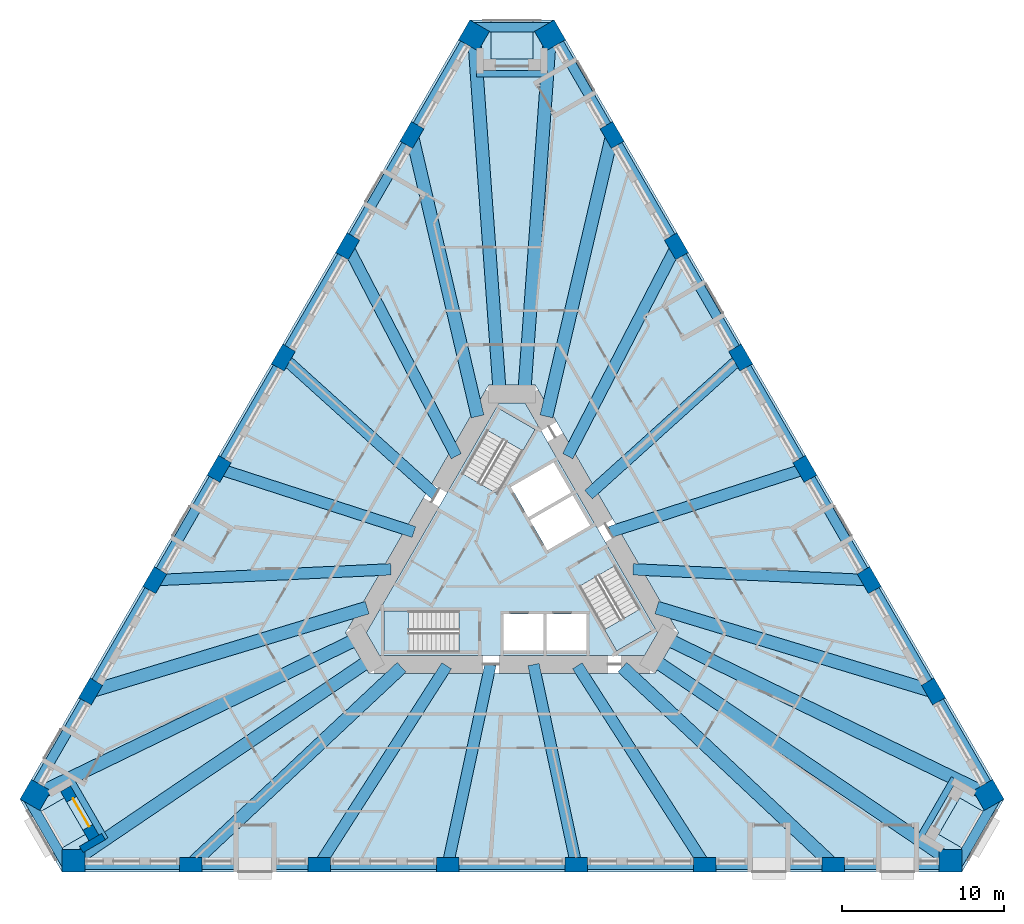
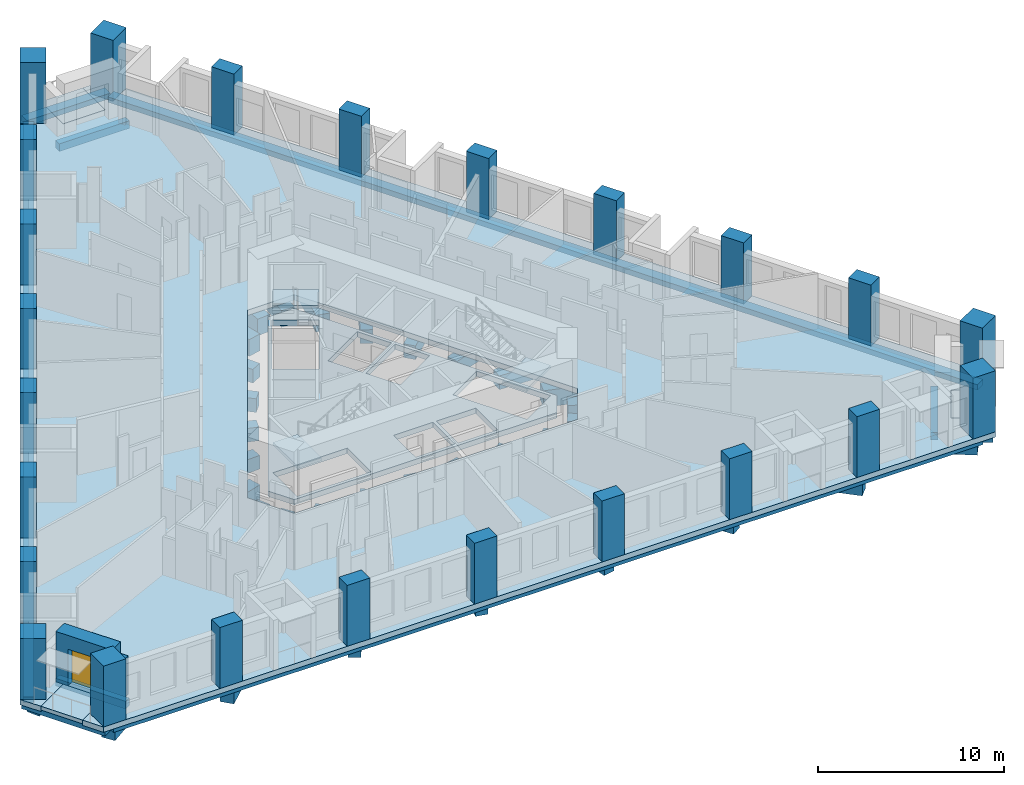
# One storey, part 1 of 14: 33 beams, 24 columns, 8 slabs, 2 walls, 1 door, 1 opening, 3 elements without a shape of their own.
"""IFC4 building model written with IfcOpenShell, lengths in metres."""

from ifc_helpers import new_model, si_unit, direction, frame, frame_2d, origin, origin_2d, place, context, subcontext, project, spatial, polyline, rectangle, outline, extrude, material, layer, layer_set, material_profile, profile_set, type_object, element, fill, aggregate, save


model = new_model("IFC4")

# Units and contexts
model_context = context("Model", 3, precision=1e-05, world=origin(), true_north=direction((0.0, 1.0)))
body_context = subcontext(model_context, "Body", "Model", "MODEL_VIEW")
ifc_project = project(units=[si_unit("LENGTHUNIT", "METRE"), si_unit("AREAUNIT", "SQUARE_METRE"), si_unit("VOLUMEUNIT", "CUBIC_METRE"), si_unit("PLANEANGLEUNIT", "RADIAN"), si_unit("MASSUNIT", "GRAM", prefix="KILO")], contexts=[model_context])

# Site, building, storey
site_placement = place(None, origin())
site = spatial("IfcSite", under=ifc_project, at=site_placement, CompositionType="ELEMENT")
building_placement = place(site_placement, origin())
building = spatial("IfcBuilding", under=site, at=building_placement, Name="Tramontana Tower", CompositionType="ELEMENT")
storey_placement = place(building_placement, frame((0.0, 0.0, 30.0)))
storey = spatial("IfcBuildingStorey", under=building, at=storey_placement, Name="L05", CompositionType="ELEMENT", Elevation=30.0)

# Columns
ifc_material_1 = material(Name="Concrete 70 MPa", Category="concrete")
ifc_material_profile_1 = material_profile(ifc_material_1, rectangle(XDim=1.39990234375, YDim=1.39990234375, at=origin_2d()), Name="Mega column 1400X1400 70 MPa")
ifc_profile_set_1 = profile_set([ifc_material_profile_1], Name="Concrete 70 MPa")
column_type_1 = type_object("IfcColumnType", Name="Mega column 1400X1400 70 MPa", PredefinedType="COLUMN", material=ifc_profile_set_1)
for number, where, z_axis, x_axis, name in (
    (1, (-2.341796875, 32.543701171875, 0.0), (0.0, 0.0, 1.0), (-0.5, -0.866025403784, 0.0), "Mega column C0K1 L05"),
    (2, (-29.354736328125, -14.243896484375, 0.0), (0.0, 0.0, 1.0), (-0.5, -0.866025403784, 0.0), "Mega column C0K2 L05"),
    (3, (-27.0126953125, -18.300048828125, 0.0), (0.0, 0.0, 1.0), (1.0, 0.0, 0.0), "Mega column C0K3 L05"),
    (4, (27.0126953125, -18.300048828125, 0.0), (0.0, 0.0, 1.0), (1.0, 0.0, 0.0), "Mega column C0K4 L05"),
    (5, (29.354736328125, -14.243896484375, 0.0), (0.0, 0.0, 1.0), (-0.5, 0.866025403784, 0.0), "Mega column C0K5 L05"),
    (6, (2.341796875, 32.543701171875, 0.0), (0.0, 0.0, 1.0), (-0.5, 0.866025403784, 0.0), "Mega column C0K6 L05"),
):
    element("IfcColumn", number, at=place(storey_placement, frame(where, z_axis=z_axis, x_axis=x_axis)), inside=storey, type_object=column_type_1, Name=name, PredefinedType="COLUMN", context=body_context, shape_type="SweptSolid", body=[
        extrude(rectangle(XDim=1.39990234375, YDim=1.39990234375, at=origin_2d()), origin(), (0.0, 0.0, 1.0), 4.0),
    ])
ifc_material_2 = material(Name="Concrete 55 MPa", Category="concrete")
ifc_material_profile_2 = material_profile(ifc_material_2, rectangle(XDim=1.39990234375, YDim=0.89990234375, at=origin_2d()), Name="Pier column 1400X900 55 MPa")
ifc_profile_set_2 = profile_set([ifc_material_profile_2], Name="Concrete 55 MPa")
column_type_2 = type_object("IfcColumnType", Name="Pier column 1400X900 55 MPa", PredefinedType="COLUMN", material=ifc_profile_set_2)
for number, where, z_axis, x_axis, name in (
    (7, (-6.167236328125, 26.41796875, 0.0), (0.0, 0.0, 1.0), (-0.5, -0.866025403784, 0.0), "Pier column C0F01 L05"),
    (8, (-10.126220703125, 19.560791015625, 0.0), (0.0, 0.0, 1.0), (-0.5, -0.866025403784, 0.0), "Pier column C0F02 L05"),
    (9, (-14.085205078125, 12.70361328125, 0.0), (0.0, 0.0, 1.0), (-0.5, -0.866025403784, 0.0), "Pier column C0F03 L05"),
    (10, (-18.044189453125, 5.846435546875, 0.0), (0.0, 0.0, 1.0), (-0.5, -0.866025403784, 0.0), "Pier column C0F04 L05"),
    (11, (-22.003173828125, -1.0107421875, 0.0), (0.0, 0.0, 1.0), (-0.5, -0.866025403784, 0.0), "Pier column C0F05 L05"),
    (12, (-25.962158203125, -7.867919921875, 0.0), (0.0, 0.0, 1.0), (-0.5, -0.866025403784, 0.0), "Pier column C0F06 L05"),
    (13, (-19.794921875, -18.550048828125, 0.0), (0.0, 0.0, 1.0), (1.0, 0.0, 0.0), "Pier column C0F07 L05"),
    (14, (-11.876953125, -18.550048828125, 0.0), (0.0, 0.0, 1.0), (1.0, 0.0, 0.0), "Pier column C0F08 L05"),
    (15, (-3.958984375, -18.550048828125, 0.0), (0.0, 0.0, 1.0), (1.0, 0.0, 0.0), "Pier column C0F09 L05"),
    (16, (3.958984375, -18.550048828125, 0.0), (0.0, 0.0, 1.0), (1.0, 0.0, 0.0), "Pier column C0F10 L05"),
    (17, (11.876953125, -18.550048828125, 0.0), (0.0, 0.0, 1.0), (1.0, 0.0, 0.0), "Pier column C0F11 L05"),
    (18, (19.794921875, -18.550048828125, 0.0), (0.0, 0.0, 1.0), (1.0, 0.0, 0.0), "Pier column C0F12 L05"),
    (19, (25.962158203125, -7.867919921875, 0.0), (0.0, 0.0, 1.0), (-0.5, 0.866025403784, 0.0), "Pier column C0F13 L05"),
    (20, (22.003173828125, -1.0107421875, 0.0), (0.0, 0.0, 1.0), (-0.5, 0.866025403784, 0.0), "Pier column C0F14 L05"),
    (21, (18.044189453125, 5.846435546875, 0.0), (0.0, 0.0, 1.0), (-0.5, 0.866025403784, 0.0), "Pier column C0F15 L05"),
    (22, (14.085205078125, 12.70361328125, 0.0), (0.0, 0.0, 1.0), (-0.5, 0.866025403784, 0.0), "Pier column C0F16 L05"),
    (23, (10.126220703125, 19.560791015625, 0.0), (0.0, 0.0, 1.0), (-0.5, 0.866025403784, 0.0), "Pier column C0F17 L05"),
    (24, (6.167236328125, 26.41796875, 0.0), (0.0, 0.0, 1.0), (-0.5, 0.866025403784, 0.0), "Pier column C0F18 L05"),
):
    element("IfcColumn", number, at=place(storey_placement, frame(where, z_axis=z_axis, x_axis=x_axis)), inside=storey, type_object=column_type_2, Name=name, PredefinedType="COLUMN", context=body_context, shape_type="SweptSolid", body=[
        extrude(rectangle(XDim=1.39990234375, YDim=0.89990234375, at=origin_2d()), origin(), (0.0, 0.0, 1.0), 4.0),
    ])

# Beams
ifc_material_3 = material(Name="Concrete 40 MPa", Category="concrete")
ifc_material_profile_3 = material_profile(ifc_material_3, rectangle(XDim=0.60009765625, YDim=0.35009765625, at=origin_2d()), Name="RC EDGE BEAM 600X350 40 MPa")
ifc_profile_set_3 = profile_set([ifc_material_profile_3], Name="Concrete 40 MPa")
beam_type_1 = type_object("IfcBeamType", Name="RC EDGE BEAM 600X350 40 MPa", PredefinedType="SPANDREL", material=ifc_profile_set_3)
beam_1_placement = place(storey_placement, frame((-2.558349609375, 32.668701171875, -0.52490234375), z_axis=(-0.500001490283, -0.866024543367, 0.0), x_axis=(0.866024543367, -0.500001490283, 0.0)))
element("IfcBeam", 25, at=beam_1_placement, inside=storey, type_object=beam_type_1, Name="Spandrel beam S0 L05", PredefinedType="SPANDREL", context=body_context, shape_type="SweptSolid", body=[
    extrude(rectangle(XDim=0.60009765625, YDim=0.35009765625, at=origin_2d()), origin(), (0.0, 0.0, 1.0), 54.025634765625),
])
beam_2_placement = place(storey_placement, frame((-27.0126953125, -18.550048828125, -0.52490234375), z_axis=(1.0, 0.0, 0.0), x_axis=(0.0, 1.0, 0.0)))
element("IfcBeam", 26, at=beam_2_placement, inside=storey, type_object=beam_type_1, Name="Spandrel beam S1 L05", PredefinedType="SPANDREL", context=body_context, shape_type="SweptSolid", body=[
    extrude(rectangle(XDim=0.60009765625, YDim=0.35009765625, at=origin_2d()), origin(), (0.0, 0.0, 1.0), 54.025390625),
])
beam_3_placement = place(storey_placement, frame((29.5712890625, -14.118896484375, -0.52490234375), z_axis=(-0.500001490283, 0.866024543367, 0.0), x_axis=(-0.866024543367, -0.500001490283, 0.0)))
element("IfcBeam", 27, at=beam_3_placement, inside=storey, type_object=beam_type_1, Name="Spandrel beam S2 L05", PredefinedType="SPANDREL", context=body_context, shape_type="SweptSolid", body=[
    extrude(rectangle(XDim=0.60009765625, YDim=0.35009765625, at=origin_2d()), origin(), (0.0, 0.0, 1.0), 54.025634765625),
])
for number, where, z_axis, x_axis, name in (
    (28, (2.59814453125, 33.050048828125, -0.52490234375), (-1.0, 0.0, 0.0), (0.0, -1.0, 0.0), "Spandrel beam K0 L05"),
    (29, (-29.921142578125, -14.27490234375, -0.52490234375), (0.50000986103, -0.866019710441, 0.0), (0.866019710441, 0.50000986103, 0.0), "Spandrel beam K1 L05"),
    (30, (27.322998046875, -18.77490234375, -0.52490234375), (0.50000986103, 0.866019710441, 0.0), (-0.866019710441, 0.50000986103, 0.0), "Spandrel beam K2 L05"),
):
    element("IfcBeam", number, at=place(storey_placement, frame(where, z_axis=z_axis, x_axis=x_axis)), inside=storey, type_object=beam_type_1, Name=name, PredefinedType="SPANDREL", context=body_context, shape_type="SweptSolid", body=[
        extrude(rectangle(XDim=0.60009765625, YDim=0.35009765625, at=origin_2d()), origin(), (0.0, 0.0, 1.0), 5.1962890625),
    ])
ifc_material_4 = material(Name="Concrete 40 MPa", Category="concrete")
ifc_material_profile_4 = material_profile(ifc_material_4, rectangle(XDim=0.699951171875, YDim=0.89990234375, at=origin_2d()), Name="RC GIRDER 700X900 40 MPa")
ifc_profile_set_4 = profile_set([ifc_material_profile_4], Name="Concrete 40 MPa")
beam_type_2 = type_object("IfcBeamType", Name="RC GIRDER 700X900 40 MPa", PredefinedType="BEAM", material=ifc_profile_set_4)
beam_4_placement = place(storey_placement, frame((-10.126220703125, 19.560791015625, -0.800048828125), z_axis=(0.459730770714, -0.88805834181, 0.0), x_axis=(0.88805834181, 0.459730770714, 0.0)))
element("IfcBeam", 31, at=beam_4_placement, inside=storey, type_object=beam_type_2, Name="Radial girder C0F02 L05", PredefinedType="BEAM", context=body_context, shape_type="SweptSolid", body=[
    extrude(rectangle(XDim=0.699951171875, YDim=0.89990234375, at=origin_2d()), origin(), (0.0, 0.0, 1.0), 14.5615234375),
])
beam_5_placement = place(storey_placement, frame((-14.085205078125, 12.70361328125, -0.800048828125), z_axis=(0.742588406407, -0.669748056116, 0.0), x_axis=(0.669748056116, 0.742588406407, 0.0)))
element("IfcBeam", 32, at=beam_5_placement, inside=storey, type_object=beam_type_2, Name="Radial girder C0F03 L05", PredefinedType="BEAM", context=body_context, shape_type="SweptSolid", body=[
    extrude(rectangle(XDim=0.699951171875, YDim=0.89990234375, at=origin_2d()), origin(), (0.0, 0.0, 1.0), 12.615966796875),
])
beam_6_placement = place(storey_placement, frame((-18.044189453125, 5.846435546875, -0.800048828125), z_axis=(0.951314408854, -0.30822215285, 0.0), x_axis=(0.30822215285, 0.951314408854, 0.0)))
element("IfcBeam", 33, at=beam_6_placement, inside=storey, type_object=beam_type_2, Name="Radial girder C0F04 L05", PredefinedType="BEAM", context=body_context, shape_type="SweptSolid", body=[
    extrude(rectangle(XDim=0.699951171875, YDim=0.89990234375, at=origin_2d()), origin(), (0.0, 0.0, 1.0), 12.61572265625),
])
for number, where, z_axis, x_axis, name in (
    (34, (-22.003173828125, -1.0107421875, -0.800048828125), (0.998946541736, 0.045889070085, 0.0), (-0.045889070085, 0.998946541736, 0.0), "Radial girder C0F05 L05"),
    (35, (-11.876953125, -18.550048828125, -0.800048828125), (0.539217827497, 0.84216633423, 0.0), (-0.84216633423, 0.539217827497, 0.0), "Radial girder C0F08 L05"),
):
    element("IfcBeam", number, at=place(storey_placement, frame(where, z_axis=z_axis, x_axis=x_axis)), inside=storey, type_object=beam_type_2, Name=name, PredefinedType="BEAM", context=body_context, shape_type="SweptSolid", body=[
        extrude(rectangle(XDim=0.699951171875, YDim=0.89990234375, at=origin_2d()), origin(), (0.0, 0.0, 1.0), 14.5615234375),
    ])
for number, where, z_axis, x_axis, name in (
    (36, (-3.958984375, -18.550048828125, -0.800048828125), (0.208730772127, 0.977973141128, 0.0), (-0.977973141128, 0.208730772127, 0.0), "Radial girder C0F09 L05"),
    (37, (3.958984375, -18.550048828125, -0.800048828125), (-0.208730772127, 0.977973141128, 0.0), (-0.977973141128, -0.208730772127, 0.0), "Radial girder C0F10 L05"),
):
    element("IfcBeam", number, at=place(storey_placement, frame(where, z_axis=z_axis, x_axis=x_axis)), inside=storey, type_object=beam_type_2, Name=name, PredefinedType="BEAM", context=body_context, shape_type="SweptSolid", body=[
        extrude(rectangle(XDim=0.699951171875, YDim=0.89990234375, at=origin_2d()), origin(), (0.0, 0.0, 1.0), 12.61572265625),
    ])
for number, where, z_axis, x_axis, name in (
    (38, (11.876953125, -18.550048828125, -0.800048828125), (-0.539217827497, 0.84216633423, 0.0), (-0.84216633423, -0.539217827497, 0.0), "Radial girder C0F11 L05"),
    (39, (22.003173828125, -1.0107421875, -0.800048828125), (-0.998946541736, 0.045889070085, 0.0), (-0.045889070085, -0.998946541736, 0.0), "Radial girder C0F14 L05"),
):
    element("IfcBeam", number, at=place(storey_placement, frame(where, z_axis=z_axis, x_axis=x_axis)), inside=storey, type_object=beam_type_2, Name=name, PredefinedType="BEAM", context=body_context, shape_type="SweptSolid", body=[
        extrude(rectangle(XDim=0.699951171875, YDim=0.89990234375, at=origin_2d()), origin(), (0.0, 0.0, 1.0), 14.5615234375),
    ])
beam_7_placement = place(storey_placement, frame((18.044189453125, 5.846435546875, -0.800048828125), z_axis=(-0.951314408854, -0.30822215285, 0.0), x_axis=(0.30822215285, -0.951314408854, 0.0)))
element("IfcBeam", 40, at=beam_7_placement, inside=storey, type_object=beam_type_2, Name="Radial girder C0F15 L05", PredefinedType="BEAM", context=body_context, shape_type="SweptSolid", body=[
    extrude(rectangle(XDim=0.699951171875, YDim=0.89990234375, at=origin_2d()), origin(), (0.0, 0.0, 1.0), 12.61572265625),
])
beam_8_placement = place(storey_placement, frame((14.085205078125, 12.70361328125, -0.800048828125), z_axis=(-0.742588406407, -0.669748056116, 0.0), x_axis=(0.669748056116, -0.742588406407, 0.0)))
element("IfcBeam", 41, at=beam_8_placement, inside=storey, type_object=beam_type_2, Name="Radial girder C0F16 L05", PredefinedType="BEAM", context=body_context, shape_type="SweptSolid", body=[
    extrude(rectangle(XDim=0.699951171875, YDim=0.89990234375, at=origin_2d()), origin(), (0.0, 0.0, 1.0), 12.615966796875),
])
beam_9_placement = place(storey_placement, frame((10.126220703125, 19.560791015625, -0.800048828125), z_axis=(-0.459730770714, -0.88805834181, 0.0), x_axis=(0.88805834181, -0.459730770714, 0.0)))
element("IfcBeam", 42, at=beam_9_placement, inside=storey, type_object=beam_type_2, Name="Radial girder C0F17 L05", PredefinedType="BEAM", context=body_context, shape_type="SweptSolid", body=[
    extrude(rectangle(XDim=0.699951171875, YDim=0.89990234375, at=origin_2d()), origin(), (0.0, 0.0, 1.0), 14.5615234375),
])
ifc_material_5 = material(Name="Concrete 40 MPa", Category="concrete")
ifc_material_profile_5 = material_profile(ifc_material_5, rectangle(XDim=0.800048828125, YDim=1.10009765625, at=origin_2d()), Name="RC GIRDER 800X1100 40 MPa")
ifc_profile_set_5 = profile_set([ifc_material_profile_5], Name="Concrete 40 MPa")
beam_type_3 = type_object("IfcBeamType", Name="RC GIRDER 800X1100 40 MPa", PredefinedType="BEAM", material=ifc_profile_set_5)
beam_10_placement = place(storey_placement, frame((-2.341796875, 32.543701171875, -0.89990234375), z_axis=(0.071767165612, -0.997421412413, 0.0), x_axis=(0.997421412413, 0.071767165612, 0.0)))
element("IfcBeam", 43, at=beam_10_placement, inside=storey, type_object=beam_type_3, Name="Radial girder C0K1 L05", PredefinedType="BEAM", context=body_context, shape_type="SweptSolid", body=[
    extrude(rectangle(XDim=0.800048828125, YDim=1.10009765625, at=origin_2d()), origin(), (0.0, 0.0, 1.0), 22.1494140625),
])
beam_11_placement = place(storey_placement, frame((-6.167236328125, 26.41796875, -0.89990234375), z_axis=(0.227334068495, -0.973816831494, 0.0), x_axis=(0.973816831494, 0.227334068495, 0.0)))
element("IfcBeam", 44, at=beam_11_placement, inside=storey, type_object=beam_type_3, Name="Radial girder C0F01 L05", PredefinedType="BEAM", context=body_context, shape_type="SweptSolid", body=[
    extrude(rectangle(XDim=0.800048828125, YDim=1.10009765625, at=origin_2d()), origin(), (0.0, 0.0, 1.0), 17.806884765625),
])
beam_12_placement = place(storey_placement, frame((-25.962158203125, -7.867919921875, -0.89990234375), z_axis=(0.95701990712, 0.290022236004, 0.0), x_axis=(-0.290022236004, 0.95701990712, 0.0)))
element("IfcBeam", 45, at=beam_12_placement, inside=storey, type_object=beam_type_3, Name="Radial girder C0F06 L05", PredefinedType="BEAM", context=body_context, shape_type="SweptSolid", body=[
    extrude(rectangle(XDim=0.800048828125, YDim=1.10009765625, at=origin_2d()), origin(), (0.0, 0.0, 1.0), 17.806640625),
])
beam_13_placement = place(storey_placement, frame((-29.354736328125, -14.243896484375, -0.89990234375), z_axis=(0.899679009302, 0.436552036098, 0.0), x_axis=(-0.436552036098, 0.899679009302, 0.0)))
element("IfcBeam", 46, at=beam_13_placement, inside=storey, type_object=beam_type_3, Name="Radial girder C0K2 L05", PredefinedType="BEAM", context=body_context, shape_type="SweptSolid", body=[
    extrude(rectangle(XDim=0.800048828125, YDim=1.10009765625, at=origin_2d()), origin(), (0.0, 0.0, 1.0), 22.149658203125),
])
beam_14_placement = place(storey_placement, frame((-27.0126953125, -18.300048828125, -0.89990234375), z_axis=(0.827898052271, 0.560878609903, 0.0), x_axis=(-0.560878609903, 0.827898052271, 0.0)))
element("IfcBeam", 47, at=beam_14_placement, inside=storey, type_object=beam_type_3, Name="Radial girder C0K3 L05", PredefinedType="BEAM", context=body_context, shape_type="SweptSolid", body=[
    extrude(rectangle(XDim=0.800048828125, YDim=1.10009765625, at=origin_2d()), origin(), (0.0, 0.0, 1.0), 22.1494140625),
])
for number, where, z_axis, x_axis, name in (
    (48, (-19.794921875, -18.550048828125, -0.89990234375), (0.72967229952, 0.683796998614, 0.0), (-0.683796998614, 0.72967229952, 0.0), "Radial girder C0F07 L05"),
    (49, (19.794921875, -18.550048828125, -0.89990234375), (-0.72967229952, 0.683796998614, 0.0), (-0.683796998614, -0.72967229952, 0.0), "Radial girder C0F12 L05"),
):
    element("IfcBeam", number, at=place(storey_placement, frame(where, z_axis=z_axis, x_axis=x_axis)), inside=storey, type_object=beam_type_3, Name=name, PredefinedType="BEAM", context=body_context, shape_type="SweptSolid", body=[
        extrude(rectangle(XDim=0.800048828125, YDim=1.10009765625, at=origin_2d()), origin(), (0.0, 0.0, 1.0), 17.806884765625),
    ])
beam_15_placement = place(storey_placement, frame((27.0126953125, -18.300048828125, -0.89990234375), z_axis=(-0.827898052271, 0.560878609903, 0.0), x_axis=(-0.560878609903, -0.827898052271, 0.0)))
element("IfcBeam", 50, at=beam_15_placement, inside=storey, type_object=beam_type_3, Name="Radial girder C0K4 L05", PredefinedType="BEAM", context=body_context, shape_type="SweptSolid", body=[
    extrude(rectangle(XDim=0.800048828125, YDim=1.10009765625, at=origin_2d()), origin(), (0.0, 0.0, 1.0), 22.1494140625),
])
beam_16_placement = place(storey_placement, frame((29.354736328125, -14.243896484375, -0.89990234375), z_axis=(-0.899679009302, 0.436552036098, 0.0), x_axis=(-0.436552036098, -0.899679009302, 0.0)))
element("IfcBeam", 51, at=beam_16_placement, inside=storey, type_object=beam_type_3, Name="Radial girder C0K5 L05", PredefinedType="BEAM", context=body_context, shape_type="SweptSolid", body=[
    extrude(rectangle(XDim=0.800048828125, YDim=1.10009765625, at=origin_2d()), origin(), (0.0, 0.0, 1.0), 22.149658203125),
])
beam_17_placement = place(storey_placement, frame((25.962158203125, -7.867919921875, -0.89990234375), z_axis=(-0.95701990712, 0.290022236004, 0.0), x_axis=(-0.290022236004, -0.95701990712, 0.0)))
element("IfcBeam", 52, at=beam_17_placement, inside=storey, type_object=beam_type_3, Name="Radial girder C0F13 L05", PredefinedType="BEAM", context=body_context, shape_type="SweptSolid", body=[
    extrude(rectangle(XDim=0.800048828125, YDim=1.10009765625, at=origin_2d()), origin(), (0.0, 0.0, 1.0), 17.806640625),
])
beam_18_placement = place(storey_placement, frame((6.167236328125, 26.41796875, -0.89990234375), z_axis=(-0.227334068495, -0.973816831494, 0.0), x_axis=(0.973816831494, -0.227334068495, 0.0)))
element("IfcBeam", 53, at=beam_18_placement, inside=storey, type_object=beam_type_3, Name="Radial girder C0F18 L05", PredefinedType="BEAM", context=body_context, shape_type="SweptSolid", body=[
    extrude(rectangle(XDim=0.800048828125, YDim=1.10009765625, at=origin_2d()), origin(), (0.0, 0.0, 1.0), 17.806884765625),
])
beam_19_placement = place(storey_placement, frame((2.341796875, 32.543701171875, -0.89990234375), z_axis=(-0.071767165612, -0.997421412413, 0.0), x_axis=(0.997421412413, -0.071767165612, 0.0)))
element("IfcBeam", 54, at=beam_19_placement, inside=storey, type_object=beam_type_3, Name="Radial girder C0K6 L05", PredefinedType="BEAM", context=body_context, shape_type="SweptSolid", body=[
    extrude(rectangle(XDim=0.800048828125, YDim=1.10009765625, at=origin_2d()), origin(), (0.0, 0.0, 1.0), 22.1494140625),
])
ifc_material_6 = material(Name="Concrete 40 MPa", Category="concrete")
ifc_material_profile_6 = material_profile(ifc_material_6, rectangle(XDim=0.39990234375, YDim=0.5, at=origin_2d()), Name="RC TRIM BEAM 400X500 40 MPa")
ifc_profile_set_6 = profile_set([ifc_material_profile_6], Name="Concrete 40 MPa")
beam_type_4 = type_object("IfcBeamType", Name="RC TRIM BEAM 400X500 40 MPa", PredefinedType="JOIST", material=ifc_profile_set_6)
for number, where, z_axis, x_axis, name in (
    (55, (2.173095703125, 30.199951171875, -0.60009765625), (-1.0, 0.0, 0.0), (0.0, -1.0, 0.0), "Trimmer beam K0 L05"),
    (56, (-27.240478515625, -13.218017578125, -0.60009765625), (0.499999616612, -0.866025625133, 0.0), (0.866025625133, 0.499999616612, 0.0), "Trimmer beam K1 L05"),
    (57, (25.0673828125, -16.98193359375, -0.60009765625), (0.499999616612, 0.866025625133, 0.0), (-0.866025625133, 0.499999616612, 0.0), "Trimmer beam K2 L05"),
):
    element("IfcBeam", number, at=place(storey_placement, frame(where, z_axis=z_axis, x_axis=x_axis)), inside=storey, type_object=beam_type_4, Name=name, PredefinedType="JOIST", context=body_context, shape_type="SweptSolid", body=[
        extrude(rectangle(XDim=0.39990234375, YDim=0.5, at=origin_2d()), origin(), (0.0, 0.0, 1.0), 4.34619140625),
    ])

# Slabs
ifc_material_7 = material(Name="Precast concrete 50 MPa", Category="concrete")
ifc_layer_1 = layer(ifc_material_7, 0.25)
ifc_layer_set_1 = layer_set([ifc_layer_1], Name="LT1 Loggia floor tray 250")
slab_type_1 = type_object("IfcSlabType", Name="LT1 Loggia floor tray 250", PredefinedType="FLOOR", material=ifc_layer_set_1)
slab_1_placement = place(storey_placement, frame((0.0, 0.0, -0.25)))
element("IfcSlab", 58, at=slab_1_placement, inside=storey, type_object=slab_type_1, Name="Corner loggia floor L05 K00", PredefinedType="FLOOR", context=body_context, shape_type="SweptSolid", body=[
    extrude(outline(polyline([(1.300048828125, 33.5), (1.300048828125, 31.10009765625), (-1.300048828125, 31.10009765625), (-1.300048828125, 33.5), (1.300048828125, 33.5)])), origin(), (0.0, 0.0, 1.0), 0.25),
])
slab_2_placement = place(storey_placement, frame((0.0, 0.0, -0.25)))
element("IfcSlab", 59, at=slab_2_placement, inside=storey, type_object=slab_type_1, Name="Corner loggia floor L05 K01", PredefinedType="FLOOR", context=body_context, shape_type="SweptSolid", body=[
    extrude(outline(polyline([(-29.661865234375, -15.624267578125), (-27.58349609375, -14.424072265625), (-26.283447265625, -16.67578125), (-28.36181640625, -17.875732421875), (-29.661865234375, -15.624267578125)])), origin(), (0.0, 0.0, 1.0), 0.25),
])
slab_3_placement = place(storey_placement, frame((0.0, 0.0, -0.25)))
element("IfcSlab", 60, at=slab_3_placement, inside=storey, type_object=slab_type_1, Name="Corner loggia floor L05 K02", PredefinedType="FLOOR", context=body_context, shape_type="SweptSolid", body=[
    extrude(outline(polyline([(28.36181640625, -17.875732421875), (26.283447265625, -16.67578125), (27.58349609375, -14.424072265625), (29.661865234375, -15.624267578125), (28.36181640625, -17.875732421875)])), origin(), (0.0, 0.0, 1.0), 0.25),
])
ifc_material_8 = material(Name="Concrete 40 MPa", Category="concrete")
ifc_layer_2 = layer(ifc_material_8, 0.35009765625)
ifc_layer_set_2 = layer_set([ifc_layer_2], Name="PT FLAT SLAB 350 40 MPa")
slab_type_2 = type_object("IfcSlabType", Name="PT FLAT SLAB 350 40 MPa", PredefinedType="FLOOR", material=ifc_layer_set_2)
slab_4_placement = place(storey_placement, frame((0.0, 0.0, -0.35009765625)))
element("IfcSlab", 61, at=slab_4_placement, inside=storey, type_object=slab_type_2, Name="Floor slab L05", PredefinedType="FLOOR", context=body_context, shape_type="SweptSolid", body=[
    extrude(outline(polyline([(29.661865234375, -15.624267578125), (27.58349609375, -14.42431640625), (26.283447265625, -16.67578125), (28.36181640625, -17.875732421875), (27.712890625, -19.0), (-27.712890625, -19.0), (-28.36181640625, -17.875732421875), (-26.283447265625, -16.67578125), (-27.58349609375, -14.42431640625), (-29.661865234375, -15.624267578125), (-30.310791015625, -14.5), (-2.59814453125, 33.5), (-1.300048828125, 33.5), (-1.300048828125, 31.10009765625), (1.300048828125, 31.10009765625), (1.300048828125, 33.5), (2.59814453125, 33.5), (30.310791015625, -14.5), (29.661865234375, -15.624267578125)]), holes=[polyline([(-10.248046875, -4.25), (-8.8046875, -6.75), (8.8046875, -6.75), (10.248046875, -4.25), (1.443359375, 11.0), (-1.443359375, 11.0), (-10.248046875, -4.25)])]), origin(), (0.0, 0.0, 1.0), 0.35009765625),
])
slab_5_placement = place(storey_placement, frame((0.0, 0.0, -0.35009765625)))
element("IfcSlab", 62, at=slab_5_placement, inside=storey, type_object=slab_type_2, Name="Core floor slab L05", PredefinedType="FLOOR", context=body_context, shape_type="SweptSolid", body=[
    extrude(outline(polyline([(8.977783203125, -4.25), (8.16943359375, -5.64990234375), (-8.16943359375, -5.64990234375), (-8.977783203125, -4.25), (-0.808349609375, 9.89990234375), (0.808349609375, 9.89990234375), (8.977783203125, -4.25)]), holes=[polyline([(8.659912109375, -4.099365234375), (6.35986328125, -0.115478515625), (4.151611328125, -1.390625), (6.451416015625, -5.374267578125), (8.659912109375, -4.099365234375)]), polyline([(3.829833984375, 4.2666015625), (1.101806640625, 2.69140625), (2.177001953125, 0.82958984375), (4.90478515625, 2.404541015625), (3.829833984375, 4.2666015625)]), polyline([(4.590087890625, -3.10009765625), (2.139892578125, -3.10009765625), (2.139892578125, -5.449951171875), (4.590087890625, -5.449951171875), (4.590087890625, -3.10009765625)]), polyline([(2.65478515625, 6.3017578125), (-0.072998046875, 4.726806640625), (1.001953125, 2.86474609375), (3.729736328125, 4.439697265625), (2.65478515625, 6.3017578125)]), polyline([(1.93994140625, -5.449951171875), (1.93994140625, -3.10009765625), (-0.510009765625, -3.10009765625), (-0.510009765625, -5.449951171875), (1.93994140625, -5.449951171875)]), polyline([(-0.77978515625, 9.54931640625), (-3.079833984375, 5.565673828125), (-0.87158203125, 4.29052734375), (1.428466796875, 8.2744140625), (-0.77978515625, 9.54931640625)]), polyline([(-7.8798828125, -5.449951171875), (-3.280029296875, -5.449951171875), (-3.280029296875, -2.89990234375), (-7.8798828125, -2.89990234375), (-7.8798828125, -5.449951171875)])]), origin(), (0.0, 0.0, 1.0), 0.35009765625),
])

# Stair, slab
ifc_material_9 = material(Name="Concrete 40 MPa", Category="concrete")
stair_type = type_object("IfcStairType", Name="EXIT STAIR 24 RISERS", PredefinedType="HALF_TURN_STAIR", material=ifc_material_9)
stair_1_placement = place(storey_placement, origin())
stair_1 = element("IfcStair", 63, at=stair_1_placement, inside=storey, type_object=stair_type, Name="L05 Exit stair ST1", PredefinedType="HALF_TURN_STAIR")
ifc_material_10 = material(Name="Concrete 40 MPa", Category="concrete")
ifc_layer_3 = layer(ifc_material_10, 0.199951171875)
ifc_layer_set_3 = layer_set([ifc_layer_3], Name="STAIR LANDING 200")
slab_type_3 = type_object("IfcSlabType", Name="STAIR LANDING 200", PredefinedType="LANDING", material=ifc_layer_set_3)
slab_6_placement = place(storey_placement, frame((0.0, 0.0, 1.800048828125)))
slab_6 = element("IfcSlab", 64, at=slab_6_placement, type_object=slab_type_3, Name="ST1 landing 1", PredefinedType="LANDING", context=body_context, shape_type="SweptSolid", body=[
    extrude(outline(polyline([(0.66845703125, 6.9580078125), (1.428466796875, 8.274169921875), (-0.77978515625, 9.54931640625), (-1.539794921875, 8.23291015625), (0.66845703125, 6.9580078125)])), origin(), (0.0, 0.0, 1.0), 0.199951171875),
])
aggregate(stair_1, [slab_6])

stair_2_placement = place(storey_placement, origin())
stair_2 = element("IfcStair", 65, at=stair_2_placement, inside=storey, type_object=stair_type, Name="L05 Exit stair ST2", PredefinedType="HALF_TURN_STAIR")
slab_7_placement = place(storey_placement, frame((0.0, 0.0, 1.800048828125)))
slab_7 = element("IfcSlab", 66, at=slab_7_placement, type_object=slab_type_3, Name="ST2 landing 1", PredefinedType="LANDING", context=body_context, shape_type="SweptSolid", body=[
    extrude(outline(polyline([(-6.360107421875, -2.89990234375), (-7.8798828125, -2.89990234375), (-7.8798828125, -5.449951171875), (-6.360107421875, -5.449951171875), (-6.360107421875, -2.89990234375)])), origin(), (0.0, 0.0, 1.0), 0.199951171875),
])
aggregate(stair_2, [slab_7])

stair_3_placement = place(storey_placement, origin())
stair_3 = element("IfcStair", 67, at=stair_3_placement, inside=storey, type_object=stair_type, Name="L05 Exit stair ST3", PredefinedType="HALF_TURN_STAIR")
slab_8_placement = place(storey_placement, frame((0.0, 0.0, 1.800048828125)))
slab_8 = element("IfcSlab", 68, at=slab_8_placement, type_object=slab_type_3, Name="ST3 landing 1", PredefinedType="LANDING", context=body_context, shape_type="SweptSolid", body=[
    extrude(outline(polyline([(5.69140625, -4.057861328125), (6.451416015625, -5.374267578125), (8.659912109375, -4.099365234375), (7.89990234375, -2.782958984375), (5.69140625, -4.057861328125)])), origin(), (0.0, 0.0, 1.0), 0.199951171875),
])
aggregate(stair_3, [slab_8])

# Wall
ifc_material_11 = material(Name="Precast concrete 60 MPa", Category="concrete")
ifc_layer_4 = layer(ifc_material_11, 0.449951171875)
ifc_layer_set_4 = layer_set([ifc_layer_4], Name="Precast concrete 60 MPa, 450 mm")
wall_type_1 = type_object("IfcWallType", Name="EW1 Stone-faced precast wall 450", PredefinedType="SOLIDWALL", material=ifc_layer_set_4)
wall_1_placement = place(storey_placement, frame((-26.5341796875, -17.60009765625, 0.0), z_axis=(0.0, 0.0, 1.0), x_axis=(0.86597962928, 0.500079275387, 0.0)))
element("IfcWall", 69, at=wall_1_placement, inside=storey, type_object=wall_type_1, Name="Corner loggia side wall L05 K01l", PredefinedType="SOLIDWALL", context=body_context, shape_type="SweptSolid", body=[
    extrude(rectangle(XDim=1.579345703125, YDim=0.449951171875, at=frame_2d((0.78955078125, 0.0))), origin(), (0.0, 0.0, 1.0), 2.550048828125),
])

# Wall, opening, door
ifc_material_12 = material(Name="Precast concrete 60 MPa", Category="concrete")
ifc_layer_5 = layer(ifc_material_12, 0.89990234375)
ifc_layer_set_5 = layer_set([ifc_layer_5], Name="EW2 Stone-faced corner loggia wall 900")
wall_type_2 = type_object("IfcWallType", Name="EW2 Stone-faced corner loggia wall 900", PredefinedType="SOLIDWALL", material=ifc_layer_set_5)
wall_2_placement = place(storey_placement, frame((-25.668701171875, -16.840576171875, 0.0), z_axis=(0.0, 0.0, 1.0), x_axis=(-0.500010275428, 0.866019471182, 0.0)))
wall_2 = element("IfcWall", 70, at=wall_2_placement, inside=storey, type_object=wall_type_2, Name="Corner loggia wall L05 K01", PredefinedType="SOLIDWALL", context=body_context, shape_type="SweptSolid", body=[
    extrude(rectangle(XDim=3.5, YDim=0.89990234375, at=frame_2d((1.75, 0.0))), origin(), (0.0, 0.0, 1.0), 3.300048828125),
])
opening_placement = place(wall_2_placement, frame((0.75, 0.0, 0.0)))
opening = element("IfcOpeningElement", 71, at=opening_placement, cuts=wall_2, Name="Opening BD-01C", PredefinedType="OPENING", context=body_context, shape_type="SweptSolid", body=[
    extrude(rectangle(XDim=2.0, YDim=2.39990234375, at=frame_2d((1.0, 1.199951171875))), frame((0.0, 0.4599609375, 0.0), z_axis=(0.0, -1.0, 0.0), x_axis=(1.0, 0.0, 0.0)), (0.0, 0.0, 1.0), 0.919921875),
])
ifc_material_13 = material(Name="Aluminum frame, double glazing unit", Category="aluminium")
door_type = type_object("IfcDoorType", Name="BC1 Sliding door 2 x 2.4", OperationType="SLIDING_TO_LEFT", PredefinedType="DOOR", material=ifc_material_13)
door_placement = place(opening_placement, origin())
door = element("IfcDoor", 72, at=door_placement, inside=storey, type_object=door_type, Name="Corner loggia door L05 K01", OperationType="SLIDING_TO_LEFT", OverallHeight=2.39990234375, OverallWidth=2.0, PredefinedType="DOOR", context=body_context, shape_type="SweptSolid", body=[
    extrude(rectangle(XDim=2.0, YDim=2.39990234375, at=frame_2d((1.0, 1.199951171875))), frame((0.0, 0.02490234375, 0.0), z_axis=(0.0, -1.0, 0.0), x_axis=(1.0, 0.0, 0.0)), (0.0, 0.0, 1.0), 0.050048828125),
])
fill(opening, door)

save(model, "model.ifc")
